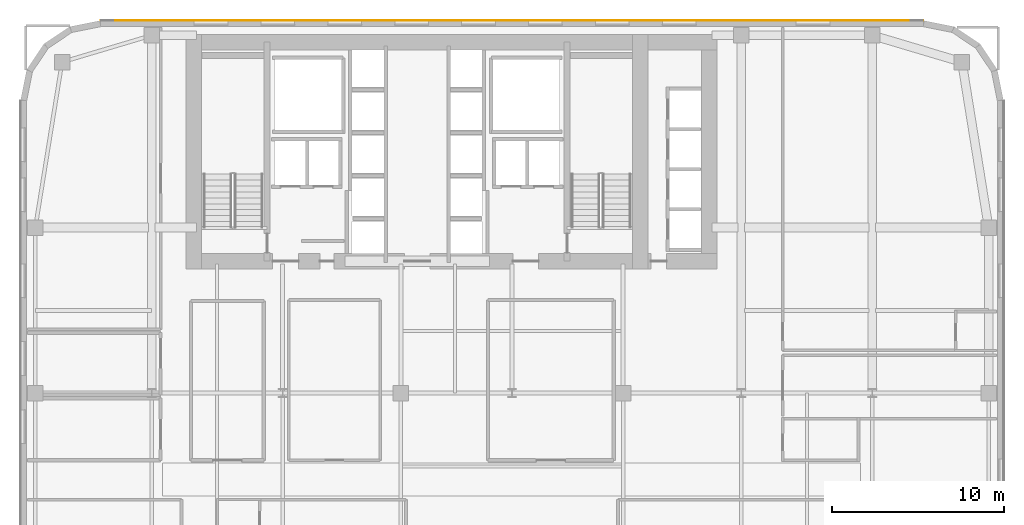
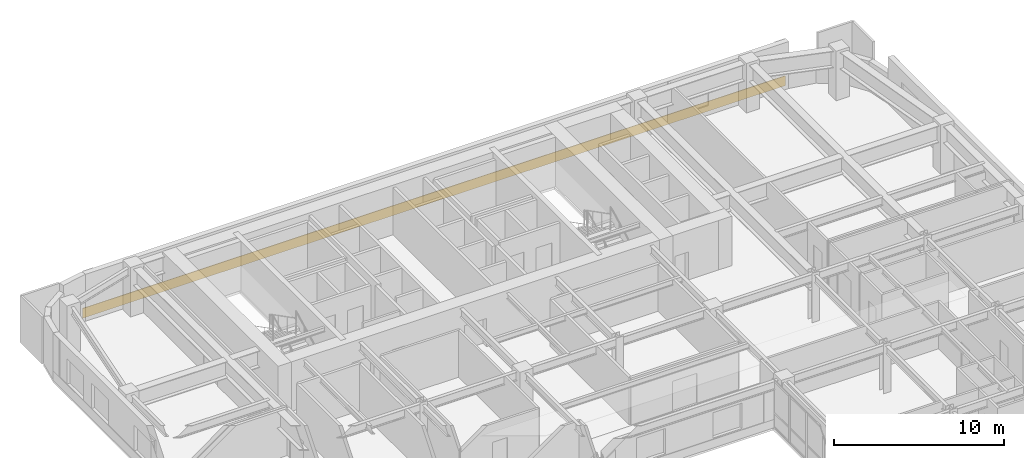
# One storey, part 23 of 24: 1 covering.
"""IFC4 building model written with IfcOpenShell, lengths in metres."""

from ifc_helpers import new_model, si_unit, direction, frame, origin, place, context, subcontext, project, spatial, polyline, outline, extrude, material, layer, layer_set, type_object, element, save


model = new_model("IFC4")

# Units and contexts
model_context = context("Model", 3, precision=1e-05, world=origin(), true_north=direction((0.0, 1.0)))
body_context = subcontext(model_context, "Body", "Model", "MODEL_VIEW")
ifc_project = project(units=[si_unit("LENGTHUNIT", "METRE"), si_unit("AREAUNIT", "SQUARE_METRE"), si_unit("VOLUMEUNIT", "CUBIC_METRE"), si_unit("PLANEANGLEUNIT", "RADIAN"), si_unit("MASSUNIT", "GRAM", prefix="KILO")], contexts=[model_context])

# Site, building, storey
site_placement = place(None, origin())
site = spatial("IfcSite", under=ifc_project, at=site_placement, CompositionType="ELEMENT")
building_placement = place(site_placement, origin())
building = spatial("IfcBuilding", under=site, at=building_placement, Name="Tolvann Quenvar Hotel", CompositionType="ELEMENT")
storey_placement = place(building_placement, frame((0.0, 0.0, 88.800048828125)))
storey = spatial("IfcBuildingStorey", under=building, at=storey_placement, Name="L22", CompositionType="ELEMENT", Elevation=88.800048828125)

# Covering
ifc_material = material(Name="Moulded buff architectural terracotta spandrel cladding", Category="masonry")
ifc_layer = layer(ifc_material, 0.0400390625)
ifc_layer_set = layer_set([ifc_layer], Name="Moulded buff architectural terracotta spandrel cladding")
covering_type = type_object("IfcCoveringType", Name="COV_CLAD_TERRA_40", PredefinedType="CLADDING", material=ifc_layer_set)
covering_placement = place(storey_placement, origin())
element("IfcCovering", 1, at=covering_placement, inside=storey, type_object=covering_type, Name="Terracotta Spandrel Cladding (L22-E18)", PredefinedType="CLADDING", context=body_context, shape_type="SweptSolid", body=[
    extrude(outline(polyline([(52.3427734375, 46.0), (4.6572265625, 46.0), (4.6572265625, 46.0400390625), (52.3427734375, 46.0400390625), (52.3427734375, 46.0)])), origin(), (0.0, 0.0, 1.0), 0.699951171875),
])

save(model, "model.ifc")
